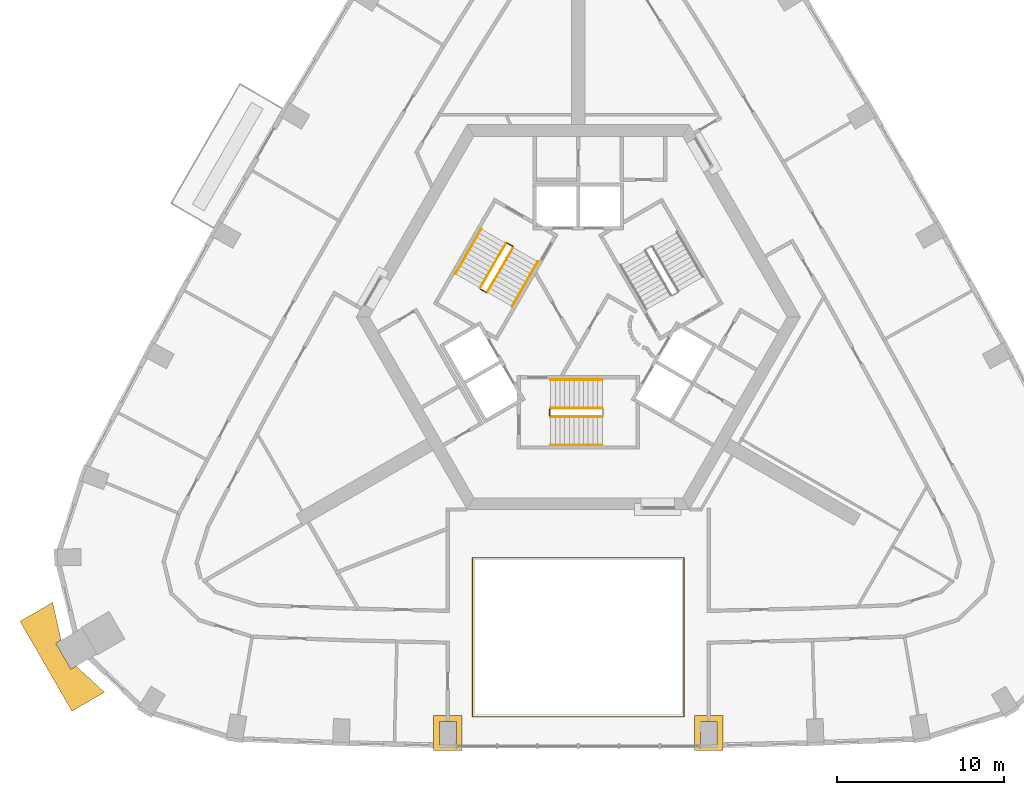
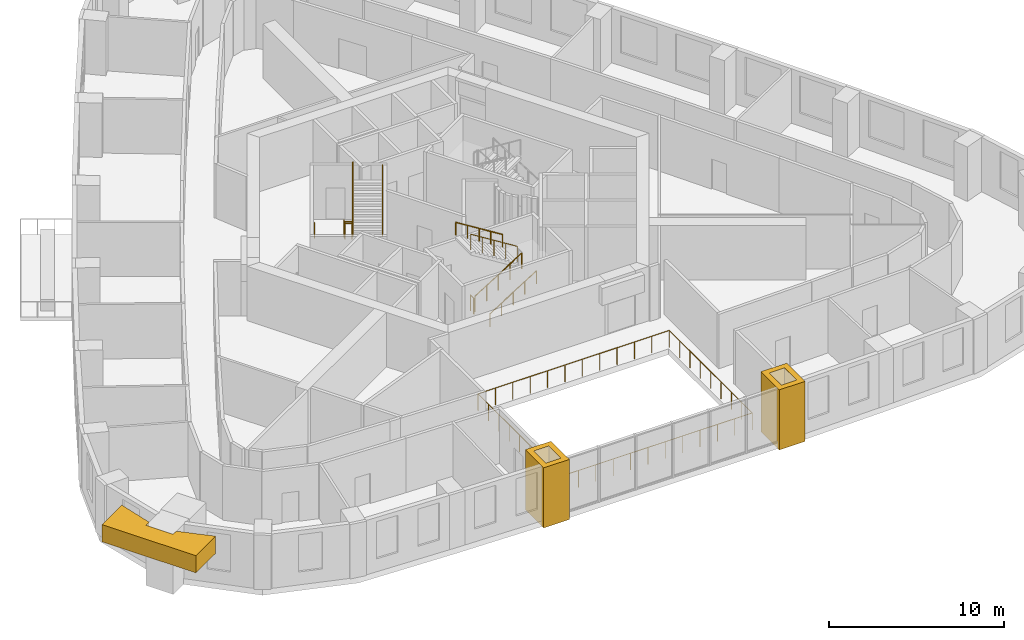
# One storey, part 11 of 13: 12 railings, 3 coverings.
"""IFC4 building model written with IfcOpenShell, lengths in metres."""

import ifcopenshell
import ifcopenshell.guid

model = None  # the IFC model being written
_history = None  # IfcOwnerHistory: only IFC2X3 demands one
_inside = {}  # id of a spatial element -> (the spatial element, [elements in it])
_under = {}  # id of a project, library or spatial element -> (it, [spatial elements below it])
_declared = {}  # id of a project -> (the project, [libraries it declares])
_typed = {}  # id of a type object -> (the type object, [elements of that type])
_made_of = {}  # id of a material, layer set ... -> (it, [elements and type objects made of it])


def new_model(schema):
    """Start an empty IFC model of exactly this schema.

    Asked for "IFC4X3", IfcOpenShell would pick the latest addendum, in which some entities
    have other attributes; the version numbers below select the first issue.
    IFC2X3 requires an IfcOwnerHistory on every rooted entity: one is made here for all.
    """
    global model, _history
    if schema == "IFC4X3":
        model = ifcopenshell.file(schema_version=(4, 3, 0, 0))
    else:
        model = ifcopenshell.file(schema=schema)
    _inside.clear()
    _under.clear()
    _declared.clear()
    _typed.clear()
    _made_of.clear()
    _history = None
    if model.schema == "IFC2X3":
        org = make("IfcOrganization", Name="unknown")
        user = make(
            "IfcPersonAndOrganization",
            ThePerson=make("IfcPerson", FamilyName="unknown"),
            TheOrganization=org,
        )
        app = make(
            "IfcApplication",
            ApplicationDeveloper=org,
            Version="unknown",
            ApplicationFullName="unknown",
            ApplicationIdentifier="unknown",
        )
        _history = make(
            "IfcOwnerHistory",
            OwningUser=user,
            OwningApplication=app,
            ChangeAction="ADDED",
            CreationDate=0,
        )
    return model


def make(cls, **values):
    """One entity of the class cls with the attributes given. An attribute that is None is left unset."""
    return model.create_entity(
        cls, **{name: value for name, value in values.items() if value is not None}
    )


def rooted(cls, **values):
    """An entity with a GlobalId (a new one), such as an element, a storey or a relation."""
    return make(cls, GlobalId=ifcopenshell.guid.new(), OwnerHistory=_history, **values)


def si_unit(unit_type, name, prefix=None):
    """IfcSIUnit, for example si_unit("LENGTHUNIT", "METRE", prefix="MILLI")."""
    return make("IfcSIUnit", UnitType=unit_type, Prefix=prefix, Name=name)


def assignment(units):
    """IfcUnitAssignment: the units of a project."""
    return None if units is None else make("IfcUnitAssignment", Units=units)


def point(xyz):
    """IfcCartesianPoint."""
    return None if xyz is None else make("IfcCartesianPoint", Coordinates=xyz)


def direction(xyz):
    """IfcDirection."""
    return None if xyz is None else make("IfcDirection", DirectionRatios=xyz)


def frame(location, z_axis=None, x_axis=None):
    """IfcAxis2Placement3D, a coordinate frame: its origin and axes. An axis left out is left unset."""
    return make(
        "IfcAxis2Placement3D",
        Location=point(location),
        Axis=direction(z_axis),
        RefDirection=direction(x_axis),
    )


def frame_2d(location, x_axis=None):
    """IfcAxis2Placement2D, a coordinate frame in the plane: its origin and x axis."""
    return make(
        "IfcAxis2Placement2D", Location=point(location), RefDirection=direction(x_axis)
    )


def origin():
    """The frame at (0, 0, 0) with its axes left unset."""
    return frame((0.0, 0.0, 0.0))


def origin_2d():
    """The frame at (0, 0) in the plane with its x axis left unset."""
    return frame_2d((0.0, 0.0))


def place(relative_to, where):
    """IfcLocalPlacement: puts the frame where relative to a parent placement (None: the world)."""
    return make(
        "IfcLocalPlacement", PlacementRelTo=relative_to, RelativePlacement=where
    )


def context(
    kind, dimensions, precision=None, world=None, true_north=None, identifier=None
):
    """IfcGeometricRepresentationContext, for example the 3D "Model" context."""
    return make(
        "IfcGeometricRepresentationContext",
        ContextIdentifier=identifier,
        ContextType=kind,
        CoordinateSpaceDimension=dimensions,
        Precision=precision,
        WorldCoordinateSystem=world,
        TrueNorth=true_north,
    )


def subcontext(parent, identifier, kind, view, scale=None):
    """IfcGeometricRepresentationSubContext, for example "Body" below "Model"."""
    return make(
        "IfcGeometricRepresentationSubContext",
        ContextIdentifier=identifier,
        ContextType=kind,
        ParentContext=parent,
        TargetScale=scale,
        TargetView=view,
    )


def project(units=None, contexts=None):
    """IfcProject with its units and contexts."""
    return rooted(
        "IfcProject",
        Name="project",
        RepresentationContexts=contexts,
        UnitsInContext=assignment(units),
    )


def spatial(cls, under=None, at=None, **own):
    """A site, building, storey or space (cls), placed at a placement, below another one or the project."""
    s = rooted(cls, ObjectPlacement=at, **own)
    if under is not None:
        _under.setdefault(under.id(), (under, []))[1].append(s)
    return s


def polyline(points):
    """IfcPolyline through the points."""
    return make("IfcPolyline", Points=[point(p) for p in points])


def profile(cls, at=None, kind="AREA", **sizes):
    """A parametric profile (cls). Its sizes go by their IFC names, for example OverallWidth=200.0."""
    return make(cls, ProfileType=kind, Position=at, **sizes)


def circle(**sizes):
    """IfcCircleProfileDef."""
    return profile("IfcCircleProfileDef", **sizes)


def outline(outer, holes=None, kind="AREA"):
    """IfcArbitraryClosedProfileDef: a profile drawn as a closed curve; with holes, ...WithVoids."""
    if holes is None:
        return make("IfcArbitraryClosedProfileDef", ProfileType=kind, OuterCurve=outer)
    return make(
        "IfcArbitraryProfileDefWithVoids",
        ProfileType=kind,
        OuterCurve=outer,
        InnerCurves=holes,
    )


def extrude(swept, where, along, depth):
    """IfcExtrudedAreaSolid: the profile swept, set in the frame where, extruded along a direction by depth."""
    return make(
        "IfcExtrudedAreaSolid",
        SweptArea=swept,
        Position=where,
        ExtrudedDirection=direction(along),
        Depth=depth,
    )


def shape(context_of_items, identifier, shape_type, items):
    """IfcShapeRepresentation: the items that make up one representation, for example the "Body"."""
    return make(
        "IfcShapeRepresentation",
        ContextOfItems=context_of_items,
        RepresentationIdentifier=identifier,
        RepresentationType=shape_type,
        Items=items,
    )


def material(Name=None, Category=None):
    """IfcMaterial."""
    return make("IfcMaterial", Name=Name, Category=Category)


def made_of(thing, what):
    """Note that an element or type object is made of a material, layer set ...; save() writes the relation."""
    if what is not None:
        _made_of.setdefault(what.id(), (what, []))[1].append(thing)
    return thing


def type_object(cls, material=None, **own):
    """A type object (cls), such as IfcWallType, which elements share."""
    return made_of(rooted(cls, **own), material)


def element(
    cls,
    number,
    at=None,
    inside=None,
    cuts=None,
    type_object=None,
    material=None,
    context=None,
    identifier="Body",
    shape_type=None,
    held_by="IfcProductDefinitionShape",
    body=None,
    shapes=None,
    **own,
):
    """One element of the class cls, such as IfcWall. Its Tag is "e" and its number.

    at: its placement. inside: the storey or other place that contains it. cuts: it is an
    opening in that element (IfcRelVoidsElement). A single representation is given by context,
    identifier, shape_type and body (its items); several are given by shapes. held_by: the class
    of the entity that holds the representations. save() writes the other relations.
    """
    e = rooted(cls, Tag="e%d" % number, ObjectPlacement=at, **own)
    if body is not None:
        shapes = [shape(context, identifier, shape_type, body)]
    if shapes is not None:
        e.Representation = make(held_by, Representations=shapes)
    if inside is not None:
        _inside.setdefault(inside.id(), (inside, []))[1].append(e)
    if cuts is not None:
        rooted(
            "IfcRelVoidsElement", RelatingBuildingElement=cuts, RelatedOpeningElement=e
        )
    if type_object is not None:
        _typed.setdefault(type_object.id(), (type_object, []))[1].append(e)
    return made_of(e, material)


def aggregate(whole, parts):
    """IfcRelAggregates: a whole, such as a stair, and the parts it consists of."""
    return rooted("IfcRelAggregates", RelatingObject=whole, RelatedObjects=parts)


def save(model, path):
    """Write the relations noted so far, then the file.

    IfcRelAggregates (storeys below a building ...), IfcRelContainedInSpatialStructure (elements
    in a storey), IfcRelDefinesByType, IfcRelAssociatesMaterial and IfcRelDeclares: one each for
    every whole, place, type object, material and project.
    """
    for whole, parts in _under.values():
        aggregate(whole, parts)
    for where, things in _inside.values():
        rooted(
            "IfcRelContainedInSpatialStructure",
            RelatedElements=things,
            RelatingStructure=where,
        )
    for kind, things in _typed.values():
        rooted("IfcRelDefinesByType", RelatedObjects=things, RelatingType=kind)
    for what, things in _made_of.values():
        rooted("IfcRelAssociatesMaterial", RelatedObjects=things, RelatingMaterial=what)
    for by, libraries in _declared.values():
        rooted("IfcRelDeclares", RelatingContext=by, RelatedDefinitions=libraries)
    model.write(path)


model = new_model("IFC4")

# Units and contexts
model_context = context("Model", 3, precision=1e-05, world=origin(), true_north=direction((0.0, 1.0)))
body_context = subcontext(model_context, "Body", "Model", "MODEL_VIEW")
ifc_project = project(units=[si_unit("LENGTHUNIT", "METRE"), si_unit("AREAUNIT", "SQUARE_METRE"), si_unit("VOLUMEUNIT", "CUBIC_METRE"), si_unit("PLANEANGLEUNIT", "RADIAN"), si_unit("MASSUNIT", "GRAM", prefix="KILO")], contexts=[model_context])

# Site, building, storey
site_placement = place(None, origin())
site = spatial("IfcSite", under=ifc_project, at=site_placement, CompositionType="ELEMENT")
building_placement = place(site_placement, origin())
building = spatial("IfcBuilding", under=site, at=building_placement, Name="Entoto Arch Interchange Tower", CompositionType="ELEMENT")
storey_placement = place(building_placement, frame((0.0, 0.0, 223.39990234375)))
storey = spatial("IfcBuildingStorey", under=building, at=storey_placement, Name="L50", CompositionType="ELEMENT", Elevation=223.39990234375)

# Railing
ifc_material_1 = material(Name="Stainless steel 1.4301", Category="steel")
railing_type_1 = type_object("IfcRailingType", Name="ATRIUM GUARD 1200 STEEL AND GLASS", PredefinedType="GUARDRAIL", material=ifc_material_1)
railing_1_placement = place(storey_placement, frame((6.320068359375, -21.381103515625, 0.0)))
element("IfcRailing", 1, at=railing_1_placement, inside=storey, type_object=railing_type_1, Name="Atrium guard L50", PredefinedType="GUARDRAIL", context=body_context, shape_type="SweptSolid", body=[
    extrude(circle(Radius=0.02392578125, at=origin_2d()), frame((0.0, 0.0, 1.17578125), z_axis=(-1.0, 0.0, 0.0), x_axis=(0.0, -1.0, 0.0)), (0.0, 0.0, 1.0), 12.64013671875),
    extrude(circle(Radius=0.02392578125, at=origin_2d()), frame((-12.64013671875, 0.0, 1.17578125), z_axis=(0.0, 1.0, 0.0), x_axis=(-1.0, 0.0, 0.0)), (0.0, 0.0, 1.0), 9.501220703125),
    extrude(circle(Radius=0.02392578125, at=origin_2d()), frame((-12.64013671875, 9.501220703125, 1.17578125), z_axis=(1.0, 0.0, 0.0), x_axis=(0.0, 1.0, 0.0)), (0.0, 0.0, 1.0), 12.64013671875),
    extrude(circle(Radius=0.02392578125, at=origin_2d()), frame((0.0, 9.501220703125, 1.17578125), z_axis=(0.0, -1.0, 0.0), x_axis=(1.0, 0.0, 0.0)), (0.0, 0.0, 1.0), 9.501220703125),
    extrude(circle(Radius=0.02099609375, at=origin_2d()), origin(), (0.0, 0.0, 1.0), 1.15185546875),
    extrude(circle(Radius=0.02099609375, at=origin_2d()), frame((-1.149169921875, 0.0, 0.0)), (0.0, 0.0, 1.0), 1.15185546875),
    extrude(circle(Radius=0.02099609375, at=origin_2d()), frame((-2.298095703125, 0.0, 0.0)), (0.0, 0.0, 1.0), 1.15185546875),
    extrude(circle(Radius=0.02099609375, at=origin_2d()), frame((-3.447265625, 0.0, 0.0)), (0.0, 0.0, 1.0), 1.15185546875),
    extrude(circle(Radius=0.02099609375, at=origin_2d()), frame((-4.596435546875, 0.0, 0.0)), (0.0, 0.0, 1.0), 1.15185546875),
    extrude(circle(Radius=0.02099609375, at=origin_2d()), frame((-5.74560546875, 0.0, 0.0)), (0.0, 0.0, 1.0), 1.15185546875),
    extrude(circle(Radius=0.02099609375, at=origin_2d()), frame((-6.89453125, 0.0, 0.0)), (0.0, 0.0, 1.0), 1.15185546875),
    extrude(circle(Radius=0.02099609375, at=origin_2d()), frame((-8.043701171875, 0.0, 0.0)), (0.0, 0.0, 1.0), 1.15185546875),
    extrude(circle(Radius=0.02099609375, at=origin_2d()), frame((-9.19287109375, 0.0, 0.0)), (0.0, 0.0, 1.0), 1.15185546875),
    extrude(circle(Radius=0.02099609375, at=origin_2d()), frame((-10.342041015625, 0.0, 0.0)), (0.0, 0.0, 1.0), 1.15185546875),
    extrude(circle(Radius=0.02099609375, at=origin_2d()), frame((-11.490966796875, 0.0, 0.0)), (0.0, 0.0, 1.0), 1.15185546875),
    extrude(circle(Radius=0.02099609375, at=origin_2d()), frame((-12.64013671875, 0.0, 0.0)), (0.0, 0.0, 1.0), 1.15185546875),
    extrude(circle(Radius=0.02099609375, at=origin_2d()), frame((-12.64013671875, 1.187744140625, 0.0)), (0.0, 0.0, 1.0), 1.15185546875),
    extrude(circle(Radius=0.02099609375, at=origin_2d()), frame((-12.64013671875, 2.375244140625, 0.0)), (0.0, 0.0, 1.0), 1.15185546875),
    extrude(circle(Radius=0.02099609375, at=origin_2d()), frame((-12.64013671875, 3.56298828125, 0.0)), (0.0, 0.0, 1.0), 1.15185546875),
    extrude(circle(Radius=0.02099609375, at=origin_2d()), frame((-12.64013671875, 4.75048828125, 0.0)), (0.0, 0.0, 1.0), 1.15185546875),
    extrude(circle(Radius=0.02099609375, at=origin_2d()), frame((-12.64013671875, 5.938232421875, 0.0)), (0.0, 0.0, 1.0), 1.15185546875),
    extrude(circle(Radius=0.02099609375, at=origin_2d()), frame((-12.64013671875, 7.1259765625, 0.0)), (0.0, 0.0, 1.0), 1.15185546875),
    extrude(circle(Radius=0.02099609375, at=origin_2d()), frame((-12.64013671875, 8.3134765625, 0.0)), (0.0, 0.0, 1.0), 1.15185546875),
    extrude(circle(Radius=0.02099609375, at=origin_2d()), frame((-12.64013671875, 9.501220703125, 0.0)), (0.0, 0.0, 1.0), 1.15185546875),
    extrude(circle(Radius=0.02099609375, at=origin_2d()), frame((-11.490966796875, 9.501220703125, 0.0)), (0.0, 0.0, 1.0), 1.15185546875),
    extrude(circle(Radius=0.02099609375, at=origin_2d()), frame((-10.342041015625, 9.501220703125, 0.0)), (0.0, 0.0, 1.0), 1.15185546875),
    extrude(circle(Radius=0.02099609375, at=origin_2d()), frame((-9.19287109375, 9.501220703125, 0.0)), (0.0, 0.0, 1.0), 1.15185546875),
    extrude(circle(Radius=0.02099609375, at=origin_2d()), frame((-8.043701171875, 9.501220703125, 0.0)), (0.0, 0.0, 1.0), 1.15185546875),
    extrude(circle(Radius=0.02099609375, at=origin_2d()), frame((-6.89453125, 9.501220703125, 0.0)), (0.0, 0.0, 1.0), 1.15185546875),
    extrude(circle(Radius=0.02099609375, at=origin_2d()), frame((-5.74560546875, 9.501220703125, 0.0)), (0.0, 0.0, 1.0), 1.15185546875),
    extrude(circle(Radius=0.02099609375, at=origin_2d()), frame((-4.596435546875, 9.501220703125, 0.0)), (0.0, 0.0, 1.0), 1.15185546875),
    extrude(circle(Radius=0.02099609375, at=origin_2d()), frame((-3.447265625, 9.501220703125, 0.0)), (0.0, 0.0, 1.0), 1.15185546875),
    extrude(circle(Radius=0.02099609375, at=origin_2d()), frame((-2.298095703125, 9.501220703125, 0.0)), (0.0, 0.0, 1.0), 1.15185546875),
    extrude(circle(Radius=0.02099609375, at=origin_2d()), frame((-1.149169921875, 9.501220703125, 0.0)), (0.0, 0.0, 1.0), 1.15185546875),
    extrude(circle(Radius=0.02099609375, at=origin_2d()), frame((0.0, 9.501220703125, 0.0)), (0.0, 0.0, 1.0), 1.15185546875),
    extrude(circle(Radius=0.02099609375, at=origin_2d()), frame((0.0, 8.3134765625, 0.0)), (0.0, 0.0, 1.0), 1.15185546875),
    extrude(circle(Radius=0.02099609375, at=origin_2d()), frame((0.0, 7.1259765625, 0.0)), (0.0, 0.0, 1.0), 1.15185546875),
    extrude(circle(Radius=0.02099609375, at=origin_2d()), frame((0.0, 5.938232421875, 0.0)), (0.0, 0.0, 1.0), 1.15185546875),
    extrude(circle(Radius=0.02099609375, at=origin_2d()), frame((0.0, 4.75048828125, 0.0)), (0.0, 0.0, 1.0), 1.15185546875),
    extrude(circle(Radius=0.02099609375, at=origin_2d()), frame((0.0, 3.56298828125, 0.0)), (0.0, 0.0, 1.0), 1.15185546875),
    extrude(circle(Radius=0.02099609375, at=origin_2d()), frame((0.0, 2.375244140625, 0.0)), (0.0, 0.0, 1.0), 1.15185546875),
    extrude(circle(Radius=0.02099609375, at=origin_2d()), frame((0.0, 1.187744140625, 0.0)), (0.0, 0.0, 1.0), 1.15185546875),
])

# Coverings
ifc_material_2 = material(Name="Board-marked precast concrete C50/60", Category="concrete")
covering_type = type_object("IfcCoveringType", Name="PRECAST FRAME COURSE", PredefinedType="CLADDING", material=ifc_material_2)
covering_1_placement = place(storey_placement, frame((0.0, 0.0, 2.60009765625)))
element("IfcCovering", 2, at=covering_1_placement, inside=storey, type_object=covering_type, Name="Corner pilaster head SW L48-L50", PredefinedType="CLADDING", context=body_context, shape_type="SweptSolid", body=[
    extrude(outline(polyline([(-30.260986328125, -21.051025390625), (-33.361083984375, -15.680908203125), (-31.407958984375, -14.553955078125), (-30.905029296875, -16.803955078125), (-31.220947265625, -16.987060546875), (-30.321044921875, -18.544921875), (-30.0048828125, -18.363037109375), (-28.30810546875, -19.923095703125), (-30.260986328125, -21.051025390625)])), origin(), (0.0, 0.0, 1.0), 1.199951171875),
])
covering_2_placement = place(storey_placement, frame((0.0, 0.0, -0.39990234375)))
element("IfcCovering", 3, at=covering_2_placement, inside=storey, type_object=covering_type, Name="Gate pier L50", PredefinedType="CLADDING", context=body_context, shape_type="SweptSolid", body=[
    extrude(outline(polyline([(-8.637939453125, -21.31103515625), (-6.93798828125, -21.31103515625), (-6.93798828125, -23.410888671875), (-8.637939453125, -23.410888671875), (-8.637939453125, -21.31103515625)]), holes=[polyline([(-8.2880859375, -21.660888671875), (-8.2880859375, -23.06103515625), (-7.2880859375, -23.06103515625), (-7.2880859375, -21.660888671875), (-8.2880859375, -21.660888671875)])]), origin(), (0.0, 0.0, 1.0), 4.199951171875),
])
covering_3_placement = place(storey_placement, frame((0.0, 0.0, -0.39990234375)))
element("IfcCovering", 4, at=covering_3_placement, inside=storey, type_object=covering_type, Name="Gate pier L50", PredefinedType="CLADDING", context=body_context, shape_type="SweptSolid", body=[
    extrude(outline(polyline([(6.93798828125, -21.31103515625), (8.637939453125, -21.31103515625), (8.637939453125, -23.410888671875), (6.93798828125, -23.410888671875), (6.93798828125, -21.31103515625)]), holes=[polyline([(7.2880859375, -21.660888671875), (7.2880859375, -23.06103515625), (8.2880859375, -23.06103515625), (8.2880859375, -21.660888671875), (7.2880859375, -21.660888671875)])]), origin(), (0.0, 0.0, 1.0), 4.199951171875),
])

# Railings
railing_type_2 = type_object("IfcRailingType", Name="STAIR GUARD 1100 STEEL", PredefinedType="GUARDRAIL", material=ifc_material_1)
railing_2_placement = place(storey_placement, frame((-1.64990234375, -3.449951171875, 0.175048828125)))
element("IfcRailing", 5, at=railing_2_placement, inside=storey, type_object=railing_type_2, Name="L50 ST-S stair guard 1", PredefinedType="GUARDRAIL", context=body_context, shape_type="SweptSolid", body=[
    extrude(circle(Radius=0.02392578125, at=origin_2d()), frame((0.0, 0.0, 1.076171875), z_axis=(0.847979421464, 0.0, 0.530029150871), x_axis=(0.0, 1.0, 0.0)), (0.0, 0.0, 1.0), 3.632080078125),
    extrude(circle(Radius=0.02099609375, at=origin_2d()), origin(), (0.0, 0.0, 1.0), 1.052001953125),
    extrude(circle(Radius=0.02099609375, at=origin_2d()), frame((0.77001953125, 0.0, 0.481201171875)), (0.0, 0.0, 1.0), 1.052001953125),
    extrude(circle(Radius=0.02099609375, at=origin_2d()), frame((1.5400390625, 0.0, 0.96240234375)), (0.0, 0.0, 1.0), 1.052001953125),
    extrude(circle(Radius=0.02099609375, at=origin_2d()), frame((2.309814453125, 0.0, 1.44384765625)), (0.0, 0.0, 1.0), 1.052001953125),
    extrude(circle(Radius=0.02099609375, at=origin_2d()), frame((3.079833984375, 0.0, 1.925048828125)), (0.0, 0.0, 1.0), 1.052001953125),
])
railing_3_placement = place(storey_placement, frame((1.429931640625, -2.949951171875, 2.275146484375)))
element("IfcRailing", 6, at=railing_3_placement, inside=storey, type_object=railing_type_2, Name="L50 ST-S stair guard 3", PredefinedType="GUARDRAIL", context=body_context, shape_type="SweptSolid", body=[
    extrude(circle(Radius=0.02392578125, at=origin_2d()), frame((0.0, 0.0, 1.076171875), z_axis=(-0.847979421464, 0.0, 0.530029150871), x_axis=(0.0, -1.0, 0.0)), (0.0, 0.0, 1.0), 3.632080078125),
    extrude(circle(Radius=0.02099609375, at=origin_2d()), origin(), (0.0, 0.0, 1.0), 1.052001953125),
    extrude(circle(Radius=0.02099609375, at=origin_2d()), frame((-0.77001953125, 0.0, 0.481201171875)), (0.0, 0.0, 1.0), 1.052001953125),
    extrude(circle(Radius=0.02099609375, at=origin_2d()), frame((-1.5400390625, 0.0, 0.96240234375)), (0.0, 0.0, 1.0), 1.052001953125),
    extrude(circle(Radius=0.02099609375, at=origin_2d()), frame((-2.309814453125, 0.0, 1.44384765625)), (0.0, 0.0, 1.0), 1.052001953125),
    extrude(circle(Radius=0.02099609375, at=origin_2d()), frame((-3.079833984375, 0.0, 1.925048828125)), (0.0, 0.0, 1.0), 1.052001953125),
])
railing_4_placement = place(storey_placement, frame((-1.699951171875, -3.39990234375, 0.0)))
element("IfcRailing", 7, at=railing_4_placement, inside=storey, type_object=railing_type_2, Name="L50 ST-S stair guard 4", PredefinedType="GUARDRAIL", context=body_context, shape_type="SweptSolid", body=[
    extrude(circle(Radius=0.02392578125, at=origin_2d()), frame((0.0, 0.0, 1.076171875), z_axis=(0.0, 1.0, 0.0), x_axis=(-1.0, 0.0, 0.0)), (0.0, 0.0, 1.0), 0.39990234375),
    extrude(circle(Radius=0.02099609375, at=origin_2d()), origin(), (0.0, 0.0, 1.0), 1.052001953125),
    extrude(circle(Radius=0.02099609375, at=origin_2d()), frame((0.0, 0.39990234375, 0.0)), (0.0, 0.0, 1.0), 1.052001953125),
])
railing_5_placement = place(storey_placement, frame((-4.327880859375, 6.904052734375, 0.175048828125)))
element("IfcRailing", 8, at=railing_5_placement, inside=storey, type_object=railing_type_2, Name="L50 ST-NW stair guard 1", PredefinedType="GUARDRAIL", context=body_context, shape_type="SweptSolid", body=[
    extrude(circle(Radius=0.02392578125, at=origin_2d()), frame((0.0, 0.0, 1.076171875), z_axis=(-0.423994474112, -0.734394994316, 0.52999309264), x_axis=(0.866029832698, -0.499992328818, 0.0)), (0.0, 0.0, 1.0), 3.63232421875),
    extrude(circle(Radius=0.02099609375, at=origin_2d()), origin(), (0.0, 0.0, 1.0), 1.052001953125),
    extrude(circle(Radius=0.02099609375, at=origin_2d()), frame((-0.385009765625, -0.6669921875, 0.481201171875)), (0.0, 0.0, 1.0), 1.052001953125),
    extrude(circle(Radius=0.02099609375, at=origin_2d()), frame((-0.77001953125, -1.333740234375, 0.96240234375)), (0.0, 0.0, 1.0), 1.052001953125),
    extrude(circle(Radius=0.02099609375, at=origin_2d()), frame((-1.155029296875, -2.00048828125, 1.44384765625)), (0.0, 0.0, 1.0), 1.052001953125),
    extrude(circle(Radius=0.02099609375, at=origin_2d()), frame((-1.5400390625, -2.66748046875, 1.925048828125)), (0.0, 0.0, 1.0), 1.052001953125),
])
railing_6_placement = place(storey_placement, frame((-5.849609375, 4.168212890625, 2.10009765625)))
element("IfcRailing", 9, at=railing_6_placement, inside=storey, type_object=railing_type_2, Name="L50 ST-NW stair guard 2", PredefinedType="GUARDRAIL", context=body_context, shape_type="SweptSolid", body=[
    extrude(circle(Radius=0.02392578125, at=origin_2d()), frame((0.0, 0.0, 1.076171875), z_axis=(0.866094119867, -0.499880961361, 0.0), x_axis=(0.499880961361, 0.866094119867, 0.0)), (0.0, 0.0, 1.0), 0.39990234375),
    extrude(circle(Radius=0.02099609375, at=origin_2d()), origin(), (0.0, 0.0, 1.0), 1.052001953125),
    extrude(circle(Radius=0.02099609375, at=origin_2d()), frame((0.346435546875, -0.199951171875, 0.0)), (0.0, 0.0, 1.0), 1.052001953125),
])
railing_7_placement = place(storey_placement, frame((-5.434814453125, 3.986572265625, 2.275146484375)))
element("IfcRailing", 10, at=railing_7_placement, inside=storey, type_object=railing_type_2, Name="L50 ST-NW stair guard 3", PredefinedType="GUARDRAIL", context=body_context, shape_type="SweptSolid", body=[
    extrude(circle(Radius=0.02392578125, at=origin_2d()), frame((0.0, 0.0, 1.076171875), z_axis=(0.423994474112, 0.734394994316, 0.52999309264), x_axis=(-0.866029832698, 0.499992328818, 0.0)), (0.0, 0.0, 1.0), 3.63232421875),
    extrude(circle(Radius=0.02099609375, at=origin_2d()), origin(), (0.0, 0.0, 1.0), 1.052001953125),
    extrude(circle(Radius=0.02099609375, at=origin_2d()), frame((0.385009765625, 0.6669921875, 0.481201171875)), (0.0, 0.0, 1.0), 1.052001953125),
    extrude(circle(Radius=0.02099609375, at=origin_2d()), frame((0.77001953125, 1.333740234375, 0.96240234375)), (0.0, 0.0, 1.0), 1.052001953125),
    extrude(circle(Radius=0.02099609375, at=origin_2d()), frame((1.155029296875, 2.00048828125, 1.44384765625)), (0.0, 0.0, 1.0), 1.052001953125),
    extrude(circle(Radius=0.02099609375, at=origin_2d()), frame((1.5400390625, 2.66748046875, 1.925048828125)), (0.0, 0.0, 1.0), 1.052001953125),
])
railing_8_placement = place(storey_placement, frame((-4.259521484375, 6.92236328125, 0.0)))
element("IfcRailing", 11, at=railing_8_placement, inside=storey, type_object=railing_type_2, Name="L50 ST-NW stair guard 4", PredefinedType="GUARDRAIL", context=body_context, shape_type="SweptSolid", body=[
    extrude(circle(Radius=0.02392578125, at=origin_2d()), frame((0.0, 0.0, 1.076171875), z_axis=(0.865829829939, -0.500338590944, 0.0), x_axis=(0.500338590944, 0.865829829939, 0.0)), (0.0, 0.0, 1.0), 0.400146484375),
    extrude(circle(Radius=0.02099609375, at=origin_2d()), origin(), (0.0, 0.0, 1.0), 1.052001953125),
    extrude(circle(Radius=0.02099609375, at=origin_2d()), frame((0.346435546875, -0.2001953125, 0.0)), (0.0, 0.0, 1.0), 1.052001953125),
])
railing_type_3 = type_object("IfcRailingType", Name="STAIR HANDRAIL 900 STEEL", PredefinedType="HANDRAIL", material=ifc_material_1)
railing_9_placement = place(storey_placement, frame((-1.64990234375, -5.14990234375, 0.175048828125)))
element("IfcRailing", 12, at=railing_9_placement, inside=storey, type_object=railing_type_3, Name="L50 ST-S stair handrail 1", PredefinedType="HANDRAIL", context=body_context, shape_type="SweptSolid", body=[
    extrude(circle(Radius=0.02392578125, at=origin_2d()), frame((0.0, 0.0, 0.8759765625), z_axis=(0.847979421464, 0.0, 0.530029150871), x_axis=(0.0, 1.0, 0.0)), (0.0, 0.0, 1.0), 3.632080078125),
    extrude(circle(Radius=0.02099609375, at=origin_2d()), origin(), (0.0, 0.0, 1.0), 0.851806640625),
    extrude(circle(Radius=0.02099609375, at=origin_2d()), frame((0.77001953125, 0.0, 0.481201171875)), (0.0, 0.0, 1.0), 0.851806640625),
    extrude(circle(Radius=0.02099609375, at=origin_2d()), frame((1.5400390625, 0.0, 0.96240234375)), (0.0, 0.0, 1.0), 0.851806640625),
    extrude(circle(Radius=0.02099609375, at=origin_2d()), frame((2.309814453125, 0.0, 1.44384765625)), (0.0, 0.0, 1.0), 0.851806640625),
    extrude(circle(Radius=0.02099609375, at=origin_2d()), frame((3.079833984375, 0.0, 1.925048828125)), (0.0, 0.0, 1.0), 0.851806640625),
])
railing_10_placement = place(storey_placement, frame((1.429931640625, -1.25, 2.275146484375)))
element("IfcRailing", 13, at=railing_10_placement, inside=storey, type_object=railing_type_3, Name="L50 ST-S stair handrail 2", PredefinedType="HANDRAIL", context=body_context, shape_type="SweptSolid", body=[
    extrude(circle(Radius=0.02392578125, at=origin_2d()), frame((0.0, 0.0, 0.8759765625), z_axis=(-0.847979421464, 0.0, 0.530029150871), x_axis=(0.0, -1.0, 0.0)), (0.0, 0.0, 1.0), 3.632080078125),
    extrude(circle(Radius=0.02099609375, at=origin_2d()), origin(), (0.0, 0.0, 1.0), 0.851806640625),
    extrude(circle(Radius=0.02099609375, at=origin_2d()), frame((-0.77001953125, 0.0, 0.481201171875)), (0.0, 0.0, 1.0), 0.851806640625),
    extrude(circle(Radius=0.02099609375, at=origin_2d()), frame((-1.5400390625, 0.0, 0.96240234375)), (0.0, 0.0, 1.0), 0.851806640625),
    extrude(circle(Radius=0.02099609375, at=origin_2d()), frame((-2.309814453125, 0.0, 1.44384765625)), (0.0, 0.0, 1.0), 0.851806640625),
    extrude(circle(Radius=0.02099609375, at=origin_2d()), frame((-3.079833984375, 0.0, 1.925048828125)), (0.0, 0.0, 1.0), 0.851806640625),
])
railing_11_placement = place(storey_placement, frame((-5.800048828125, 7.75390625, 0.175048828125)))
element("IfcRailing", 14, at=railing_11_placement, inside=storey, type_object=railing_type_3, Name="L50 ST-NW stair handrail 1", PredefinedType="HANDRAIL", context=body_context, shape_type="SweptSolid", body=[
    extrude(circle(Radius=0.02392578125, at=origin_2d()), frame((0.0, 0.0, 0.8759765625), z_axis=(-0.424015404183, -0.734364028329, 0.530019255228), x_axis=(0.866010015463, -0.500026652407, 0.0)), (0.0, 0.0, 1.0), 3.632080078125),
    extrude(circle(Radius=0.02099609375, at=origin_2d()), origin(), (0.0, 0.0, 1.0), 0.851806640625),
    extrude(circle(Radius=0.02099609375, at=origin_2d()), frame((-0.385009765625, -0.666748046875, 0.481201171875)), (0.0, 0.0, 1.0), 0.851806640625),
    extrude(circle(Radius=0.02099609375, at=origin_2d()), frame((-0.77001953125, -1.33349609375, 0.96240234375)), (0.0, 0.0, 1.0), 0.851806640625),
    extrude(circle(Radius=0.02099609375, at=origin_2d()), frame((-1.155029296875, -2.00048828125, 1.44384765625)), (0.0, 0.0, 1.0), 0.851806640625),
    extrude(circle(Radius=0.02099609375, at=origin_2d()), frame((-1.5400390625, -2.667236328125, 1.925048828125)), (0.0, 0.0, 1.0), 0.851806640625),
])
railing_12_placement = place(storey_placement, frame((-3.962646484375, 3.136474609375, 2.275146484375)))
element("IfcRailing", 15, at=railing_12_placement, inside=storey, type_object=railing_type_3, Name="L50 ST-NW stair handrail 2", PredefinedType="HANDRAIL", context=body_context, shape_type="SweptSolid", body=[
    extrude(circle(Radius=0.02392578125, at=origin_2d()), frame((0.0, 0.0, 0.8759765625), z_axis=(0.423994474112, 0.734394994316, 0.52999309264), x_axis=(-0.866029832698, 0.499992328818, 0.0)), (0.0, 0.0, 1.0), 3.63232421875),
    extrude(circle(Radius=0.02099609375, at=origin_2d()), origin(), (0.0, 0.0, 1.0), 0.851806640625),
    extrude(circle(Radius=0.02099609375, at=origin_2d()), frame((0.385009765625, 0.6669921875, 0.481201171875)), (0.0, 0.0, 1.0), 0.851806640625),
    extrude(circle(Radius=0.02099609375, at=origin_2d()), frame((0.77001953125, 1.333740234375, 0.96240234375)), (0.0, 0.0, 1.0), 0.851806640625),
    extrude(circle(Radius=0.02099609375, at=origin_2d()), frame((1.155029296875, 2.00048828125, 1.44384765625)), (0.0, 0.0, 1.0), 0.851806640625),
    extrude(circle(Radius=0.02099609375, at=origin_2d()), frame((1.5400390625, 2.66748046875, 1.925048828125)), (0.0, 0.0, 1.0), 0.851806640625),
])

save(model, "model.ifc")
